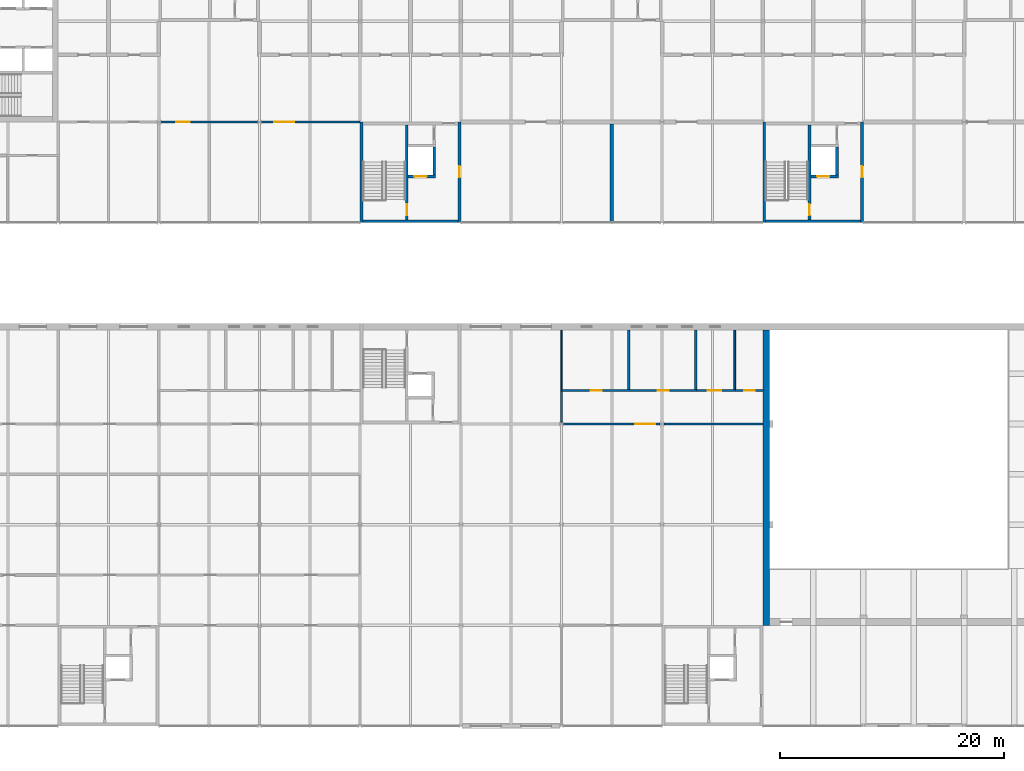
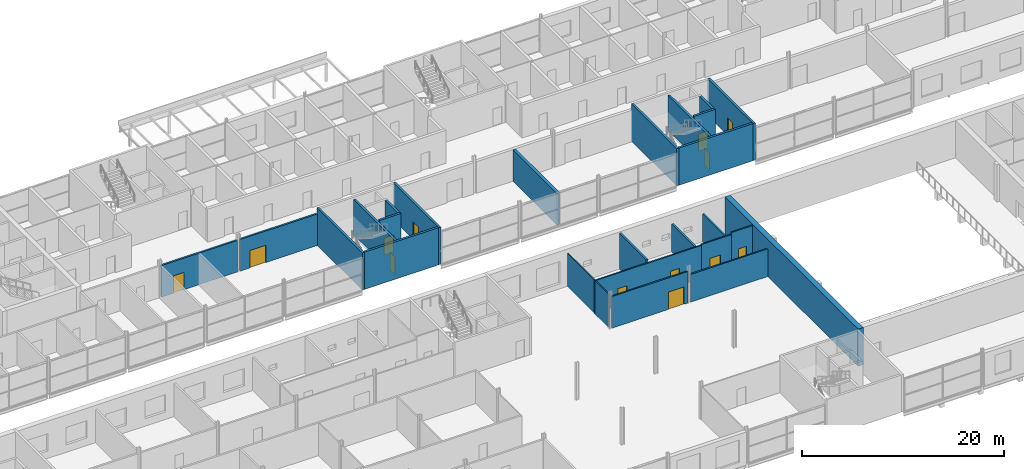
# One storey, part 77 of 97: 26 walls, 13 doors, 13 openings.
"""IFC4 building model written with IfcOpenShell, lengths in metres."""

from ifc_helpers import new_model, si_unit, direction, frame, frame_2d, origin, place, context, subcontext, project, spatial, rectangle, extrude, material, layer, layer_set, type_object, element, fill, save


model = new_model("IFC4")

# Units and contexts
model_context = context("Model", 3, precision=1e-05, world=origin(), true_north=direction((0.0, 1.0)))
body_context = subcontext(model_context, "Body", "Model", "MODEL_VIEW")
ifc_project = project(units=[si_unit("LENGTHUNIT", "METRE"), si_unit("AREAUNIT", "SQUARE_METRE"), si_unit("VOLUMEUNIT", "CUBIC_METRE"), si_unit("PLANEANGLEUNIT", "RADIAN"), si_unit("MASSUNIT", "GRAM", prefix="KILO")], contexts=[model_context])

# Site, building, storey
site_placement = place(None, origin())
site = spatial("IfcSite", under=ifc_project, at=site_placement, CompositionType="ELEMENT")
building_placement = place(site_placement, origin())
building = spatial("IfcBuilding", under=site, at=building_placement, Name="Corbel Yard City Hall", CompositionType="ELEMENT")
storey_placement = place(building_placement, frame((0.0, 0.0, 6.0)))
storey = spatial("IfcBuildingStorey", under=building, at=storey_placement, Name="L01", CompositionType="ELEMENT", Elevation=6.0)

# Walls
ifc_material_1 = material(Name="Concrete N50 (50 MPa)", Category="concrete")
ifc_layer_1 = layer(ifc_material_1, 0.60009765625)
ifc_layer_set_1 = layer_set([ifc_layer_1], Name="Concrete N50 (50 MPa)")
wall_type_1 = type_object("IfcWallType", Name="Chamber wall 600", PredefinedType="SHEAR", material=ifc_layer_set_1)
wall_1_placement = place(storey_placement, frame((117.300048828125, 54.0, 0.0), z_axis=(0.0, 0.0, 1.0), x_axis=(0.0, 1.0, 0.0)))
element("IfcWall", 1, at=wall_1_placement, inside=storey, type_object=wall_type_1, Name="Chamber west wall", PredefinedType="SHEAR", context=body_context, shape_type="SweptSolid", body=[
    extrude(rectangle(XDim=26.39990234375, YDim=0.60009765625, at=frame_2d((13.199951171875, 0.0))), origin(), (0.0, 0.0, 1.0), 4.5),
])
ifc_layer_2 = layer(ifc_material_1, 0.25)
ifc_layer_set_2 = layer_set([ifc_layer_2], Name="Concrete N50 (50 MPa)")
wall_type_2 = type_object("IfcWallType", Name="Core cell wall 250", PredefinedType="SHEAR", material=ifc_layer_set_2)
wall_2_placement = place(storey_placement, frame((81.125, 90.0, 0.0), z_axis=(0.0, 0.0, 1.0), x_axis=(0.0, 1.0, 0.0)))
element("IfcWall", 2, at=wall_2_placement, inside=storey, type_object=wall_type_2, Name="Core PC-N5 west wall", PredefinedType="SHEAR", context=body_context, shape_type="SweptSolid", body=[
    extrude(rectangle(XDim=9.0, YDim=0.25, at=frame_2d((4.5, 0.0))), origin(), (0.0, 0.0, 1.0), 4.5),
])

# Wall, opening, door
wall_3_placement = place(storey_placement, frame((89.875, 90.0, 0.0), z_axis=(0.0, 0.0, 1.0), x_axis=(0.0, 1.0, 0.0)))
wall_3 = element("IfcWall", 3, at=wall_3_placement, inside=storey, type_object=wall_type_2, Name="Core PC-N5 east wall", PredefinedType="SHEAR", context=body_context, shape_type="SweptSolid", body=[
    extrude(rectangle(XDim=9.0, YDim=0.25, at=frame_2d((4.5, 0.0))), origin(), (0.0, 0.0, 1.0), 4.5),
])
opening_1_placement = place(wall_3_placement, frame((4.050048828125, 0.0, 0.0)))
opening_1 = element("IfcOpeningElement", 4, at=opening_1_placement, cuts=wall_3, Name="Opening L01-162", PredefinedType="OPENING", context=body_context, shape_type="SweptSolid", body=[
    extrude(rectangle(XDim=1.0, YDim=2.10009765625, at=frame_2d((0.5, 1.050048828125))), frame((0.0, 0.135009765625, 0.0), z_axis=(0.0, -1.0, 0.0), x_axis=(1.0, 0.0, 0.0)), (0.0, 0.0, 1.0), 0.27001953125),
])
ifc_material_2 = material(Name="Steel Grade G250", Category="steel")
door_type_1 = type_object("IfcDoorType", Name="FS1", OperationType="SINGLE_SWING_LEFT", PredefinedType="DOOR", material=ifc_material_2)
door_1_placement = place(opening_1_placement, frame((1.0, 0.0, 0.0), z_axis=(0.0, 0.0, 1.0), x_axis=(-1.0, 0.0, 0.0)))
door_1 = element("IfcDoor", 5, at=door_1_placement, inside=storey, type_object=door_type_1, Name="Door Lift Lobby", OperationType="SINGLE_SWING_LEFT", OverallHeight=2.10009765625, OverallWidth=1.0, PredefinedType="DOOR", context=body_context, shape_type="SweptSolid", body=[
    extrude(rectangle(XDim=1.0, YDim=2.10009765625, at=frame_2d((0.5, 1.050048828125))), frame((0.0, 0.02490234375, 0.0), z_axis=(0.0, -1.0, 0.0), x_axis=(1.0, 0.0, 0.0)), (0.0, 0.0, 1.0), 0.050048828125),
])
fill(opening_1, door_1)

# Walls
wall_4_placement = place(storey_placement, frame((81.25, 90.125, 0.0), z_axis=(0.0, 0.0, 1.0), x_axis=(1.0, 0.0, 0.0)))
element("IfcWall", 6, at=wall_4_placement, inside=storey, type_object=wall_type_2, Name="Core PC-N5 south wall", PredefinedType="SHEAR", context=body_context, shape_type="SweptSolid", body=[
    extrude(rectangle(XDim=8.5, YDim=0.25, at=frame_2d((4.25, 0.0))), origin(), (0.0, 0.0, 1.0), 4.5),
])
wall_5_placement = place(storey_placement, frame((117.125, 90.0, 0.0), z_axis=(0.0, 0.0, 1.0), x_axis=(0.0, 1.0, 0.0)))
element("IfcWall", 7, at=wall_5_placement, inside=storey, type_object=wall_type_2, Name="Core PC-N6 west wall", PredefinedType="SHEAR", context=body_context, shape_type="SweptSolid", body=[
    extrude(rectangle(XDim=9.0, YDim=0.25, at=frame_2d((4.5, 0.0))), origin(), (0.0, 0.0, 1.0), 4.5),
])

# Wall, opening, door
wall_6_placement = place(storey_placement, frame((125.875, 90.0, 0.0), z_axis=(0.0, 0.0, 1.0), x_axis=(0.0, 1.0, 0.0)))
wall_6 = element("IfcWall", 8, at=wall_6_placement, inside=storey, type_object=wall_type_2, Name="Core PC-N6 east wall", PredefinedType="SHEAR", context=body_context, shape_type="SweptSolid", body=[
    extrude(rectangle(XDim=9.0, YDim=0.25, at=frame_2d((4.5, 0.0))), origin(), (0.0, 0.0, 1.0), 4.5),
])
opening_2_placement = place(wall_6_placement, frame((4.050048828125, 0.0, 0.0)))
opening_2 = element("IfcOpeningElement", 9, at=opening_2_placement, cuts=wall_6, Name="Opening L01-164", PredefinedType="OPENING", context=body_context, shape_type="SweptSolid", body=[
    extrude(rectangle(XDim=1.0, YDim=2.10009765625, at=frame_2d((0.5, 1.050048828125))), frame((0.0, 0.135009765625, 0.0), z_axis=(0.0, -1.0, 0.0), x_axis=(1.0, 0.0, 0.0)), (0.0, 0.0, 1.0), 0.27001953125),
])
door_2_placement = place(opening_2_placement, frame((1.0, 0.0, 0.0), z_axis=(0.0, 0.0, 1.0), x_axis=(-1.0, 0.0, 0.0)))
door_2 = element("IfcDoor", 10, at=door_2_placement, inside=storey, type_object=door_type_1, Name="Door Lift Lobby", OperationType="SINGLE_SWING_LEFT", OverallHeight=2.10009765625, OverallWidth=1.0, PredefinedType="DOOR", context=body_context, shape_type="SweptSolid", body=[
    extrude(rectangle(XDim=1.0, YDim=2.10009765625, at=frame_2d((0.5, 1.050048828125))), frame((0.0, 0.02490234375, 0.0), z_axis=(0.0, -1.0, 0.0), x_axis=(1.0, 0.0, 0.0)), (0.0, 0.0, 1.0), 0.050048828125),
])
fill(opening_2, door_2)

# Wall
wall_7_placement = place(storey_placement, frame((117.25, 90.125, 0.0), z_axis=(0.0, 0.0, 1.0), x_axis=(1.0, 0.0, 0.0)))
element("IfcWall", 11, at=wall_7_placement, inside=storey, type_object=wall_type_2, Name="Core PC-N6 south wall", PredefinedType="SHEAR", context=body_context, shape_type="SweptSolid", body=[
    extrude(rectangle(XDim=8.5, YDim=0.25, at=frame_2d((4.25, 0.0))), origin(), (0.0, 0.0, 1.0), 4.5),
])

# Wall, opening, door
ifc_material_3 = material(Name="Concrete N40 (40 MPa)", Category="concrete")
ifc_layer_3 = layer(ifc_material_3, 0.25)
ifc_layer_set_3 = layer_set([ifc_layer_3], Name="Concrete N40 (40 MPa)")
wall_type_3 = type_object("IfcWallType", Name="IW2", PredefinedType="SOLIDWALL", material=ifc_layer_set_3)
wall_8_placement = place(storey_placement, frame((85.175048828125, 90.25, 0.0), z_axis=(0.0, 0.0, 1.0), x_axis=(0.0, 1.0, 0.0)))
wall_8 = element("IfcWall", 12, at=wall_8_placement, inside=storey, type_object=wall_type_3, Name="Stair enclosure wall", PredefinedType="SOLIDWALL", context=body_context, shape_type="SweptSolid", body=[
    extrude(rectangle(XDim=8.5, YDim=0.25, at=frame_2d((4.25, 0.0))), origin(), (0.0, 0.0, 1.0), 4.25),
])
opening_3_placement = place(wall_8_placement, frame((0.39990234375, 0.0, 0.0)))
opening_3 = element("IfcOpeningElement", 13, at=opening_3_placement, cuts=wall_8, Name="Opening L01-149", PredefinedType="OPENING", context=body_context, shape_type="SweptSolid", body=[
    extrude(rectangle(XDim=1.0, YDim=2.10009765625, at=frame_2d((0.5, 1.050048828125))), frame((0.0, 0.135009765625, 0.0), z_axis=(0.0, -1.0, 0.0), x_axis=(1.0, 0.0, 0.0)), (0.0, 0.0, 1.0), 0.27001953125),
])
door_3_placement = place(opening_3_placement, origin())
door_3 = element("IfcDoor", 14, at=door_3_placement, inside=storey, type_object=door_type_1, Name="Door Exit Stair 20", OperationType="SINGLE_SWING_LEFT", OverallHeight=2.10009765625, OverallWidth=1.0, PredefinedType="DOOR", context=body_context, shape_type="SweptSolid", body=[
    extrude(rectangle(XDim=1.0, YDim=2.10009765625, at=frame_2d((0.5, 1.050048828125))), frame((0.0, 0.02490234375, 0.0), z_axis=(0.0, -1.0, 0.0), x_axis=(1.0, 0.0, 0.0)), (0.0, 0.0, 1.0), 0.050048828125),
])
fill(opening_3, door_3)

wall_9_placement = place(storey_placement, frame((85.300048828125, 94.125, 0.0), z_axis=(0.0, 0.0, 1.0), x_axis=(1.0, 0.0, 0.0)))
wall_9 = element("IfcWall", 15, at=wall_9_placement, inside=storey, type_object=wall_type_3, Name="Lift LP20 shaft wall", PredefinedType="SOLIDWALL", context=body_context, shape_type="SweptSolid", body=[
    extrude(rectangle(XDim=2.449951171875, YDim=0.25, at=frame_2d((1.22509765625, 0.0))), origin(), (0.0, 0.0, 1.0), 4.5),
])
opening_4_placement = place(wall_9_placement, frame((0.550048828125, 0.0, 0.0)))
opening_4 = element("IfcOpeningElement", 16, at=opening_4_placement, cuts=wall_9, Name="Opening L01-139", PredefinedType="OPENING", context=body_context, shape_type="SweptSolid", body=[
    extrude(rectangle(XDim=1.10009765625, YDim=2.10009765625, at=frame_2d((0.550048828125, 1.050048828125))), frame((0.0, 0.135009765625, 0.0), z_axis=(0.0, -1.0, 0.0), x_axis=(1.0, 0.0, 0.0)), (0.0, 0.0, 1.0), 0.27001953125),
])
ifc_material_4 = material(Name="Stainless steel Grade 316", Category="steel")
door_type_2 = type_object("IfcDoorType", Name="LD1", OperationType="DOUBLE_DOOR_SLIDING", PredefinedType="DOOR", material=ifc_material_4)
door_4_placement = place(opening_4_placement, origin())
door_4 = element("IfcDoor", 17, at=door_4_placement, inside=storey, type_object=door_type_2, Name="Lift LP20 landing door", OperationType="DOUBLE_DOOR_SLIDING", OverallHeight=2.10009765625, OverallWidth=1.10009765625, PredefinedType="DOOR", context=body_context, shape_type="SweptSolid", body=[
    extrude(rectangle(XDim=1.10009765625, YDim=2.10009765625, at=frame_2d((0.550048828125, 1.050048828125))), frame((0.0, 0.02490234375, 0.0), z_axis=(0.0, -1.0, 0.0), x_axis=(1.0, 0.0, 0.0)), (0.0, 0.0, 1.0), 0.050048828125),
])
fill(opening_4, door_4)

# Wall
wall_10_placement = place(storey_placement, frame((87.625, 94.25, 0.0), z_axis=(0.0, 0.0, 1.0), x_axis=(0.0, 1.0, 0.0)))
element("IfcWall", 18, at=wall_10_placement, inside=storey, type_object=wall_type_3, Name="Lift LP20 shaft wall", PredefinedType="SOLIDWALL", context=body_context, shape_type="SweptSolid", body=[
    extrude(rectangle(XDim=2.5, YDim=0.25, at=frame_2d((1.25, 0.0))), origin(), (0.0, 0.0, 1.0), 4.5),
])

# Wall, opening, door
wall_11_placement = place(storey_placement, frame((121.175048828125, 90.25, 0.0), z_axis=(0.0, 0.0, 1.0), x_axis=(0.0, 1.0, 0.0)))
wall_11 = element("IfcWall", 19, at=wall_11_placement, inside=storey, type_object=wall_type_3, Name="Stair enclosure wall", PredefinedType="SOLIDWALL", context=body_context, shape_type="SweptSolid", body=[
    extrude(rectangle(XDim=8.5, YDim=0.25, at=frame_2d((4.25, 0.0))), origin(), (0.0, 0.0, 1.0), 4.25),
])
opening_5_placement = place(wall_11_placement, frame((0.39990234375, 0.0, 0.0)))
opening_5 = element("IfcOpeningElement", 20, at=opening_5_placement, cuts=wall_11, Name="Opening L01-151", PredefinedType="OPENING", context=body_context, shape_type="SweptSolid", body=[
    extrude(rectangle(XDim=1.0, YDim=2.10009765625, at=frame_2d((0.5, 1.050048828125))), frame((0.0, 0.135009765625, 0.0), z_axis=(0.0, -1.0, 0.0), x_axis=(1.0, 0.0, 0.0)), (0.0, 0.0, 1.0), 0.27001953125),
])
door_5_placement = place(opening_5_placement, origin())
door_5 = element("IfcDoor", 21, at=door_5_placement, inside=storey, type_object=door_type_1, Name="Door Exit Stair 21", OperationType="SINGLE_SWING_LEFT", OverallHeight=2.10009765625, OverallWidth=1.0, PredefinedType="DOOR", context=body_context, shape_type="SweptSolid", body=[
    extrude(rectangle(XDim=1.0, YDim=2.10009765625, at=frame_2d((0.5, 1.050048828125))), frame((0.0, 0.02490234375, 0.0), z_axis=(0.0, -1.0, 0.0), x_axis=(1.0, 0.0, 0.0)), (0.0, 0.0, 1.0), 0.050048828125),
])
fill(opening_5, door_5)

wall_12_placement = place(storey_placement, frame((121.300048828125, 94.125, 0.0), z_axis=(0.0, 0.0, 1.0), x_axis=(1.0, 0.0, 0.0)))
wall_12 = element("IfcWall", 22, at=wall_12_placement, inside=storey, type_object=wall_type_3, Name="Lift LP21 shaft wall", PredefinedType="SOLIDWALL", context=body_context, shape_type="SweptSolid", body=[
    extrude(rectangle(XDim=2.449951171875, YDim=0.25, at=frame_2d((1.22509765625, 0.0))), origin(), (0.0, 0.0, 1.0), 4.5),
])
opening_6_placement = place(wall_12_placement, frame((0.550048828125, 0.0, 0.0)))
opening_6 = element("IfcOpeningElement", 23, at=opening_6_placement, cuts=wall_12, Name="Opening L01-140", PredefinedType="OPENING", context=body_context, shape_type="SweptSolid", body=[
    extrude(rectangle(XDim=1.10009765625, YDim=2.10009765625, at=frame_2d((0.550048828125, 1.050048828125))), frame((0.0, 0.135009765625, 0.0), z_axis=(0.0, -1.0, 0.0), x_axis=(1.0, 0.0, 0.0)), (0.0, 0.0, 1.0), 0.27001953125),
])
door_6_placement = place(opening_6_placement, origin())
door_6 = element("IfcDoor", 24, at=door_6_placement, inside=storey, type_object=door_type_2, Name="Lift LP21 landing door", OperationType="DOUBLE_DOOR_SLIDING", OverallHeight=2.10009765625, OverallWidth=1.10009765625, PredefinedType="DOOR", context=body_context, shape_type="SweptSolid", body=[
    extrude(rectangle(XDim=1.10009765625, YDim=2.10009765625, at=frame_2d((0.550048828125, 1.050048828125))), frame((0.0, 0.02490234375, 0.0), z_axis=(0.0, -1.0, 0.0), x_axis=(1.0, 0.0, 0.0)), (0.0, 0.0, 1.0), 0.050048828125),
])
fill(opening_6, door_6)

# Walls
wall_13_placement = place(storey_placement, frame((123.625, 94.25, 0.0), z_axis=(0.0, 0.0, 1.0), x_axis=(0.0, 1.0, 0.0)))
element("IfcWall", 25, at=wall_13_placement, inside=storey, type_object=wall_type_3, Name="Lift LP21 shaft wall", PredefinedType="SOLIDWALL", context=body_context, shape_type="SweptSolid", body=[
    extrude(rectangle(XDim=2.5, YDim=0.25, at=frame_2d((1.25, 0.0))), origin(), (0.0, 0.0, 1.0), 4.5),
])
ifc_material_5 = material(Name="Gypsum plasterboard", Category="gypsum")
ifc_layer_4 = layer(ifc_material_5, 0.028076171875)
ifc_material_6 = material(Name="Steel Grade G550 (550 MPa yield)", Category="steel")
ifc_layer_5 = layer(ifc_material_6, 0.06396484375)
ifc_layer_6 = layer(ifc_material_5, 0.028076171875)
ifc_layer_set_4 = layer_set([ifc_layer_4, ifc_layer_5, ifc_layer_6], Name="Steel Grade G550 (550 MPa yield)")
wall_type_4 = type_object("IfcWallType", Name="PT1", PredefinedType="PARTITIONING", material=ifc_layer_set_4)
wall_14_placement = place(storey_placement, frame((99.0, 75.080078125, 0.0), z_axis=(0.0, 0.0, 1.0), x_axis=(0.0, 1.0, 0.0)))
element("IfcWall", 26, at=wall_14_placement, inside=storey, type_object=wall_type_4, Name="Partition", PredefinedType="PARTITIONING", context=body_context, shape_type="SweptSolid", body=[
    extrude(rectangle(XDim=5.31982421875, YDim=0.1201171875, at=frame_2d((2.659912109375, 0.0))), origin(), (0.0, 0.0, 1.0), 3.998046875),
])

# Wall, opening, door
ifc_layer_7 = layer(ifc_material_5, 0.031982421875)
ifc_layer_8 = layer(ifc_material_6, 0.135986328125)
ifc_layer_9 = layer(ifc_material_5, 0.031982421875)
ifc_layer_set_5 = layer_set([ifc_layer_7, ifc_layer_8, ifc_layer_9], Name="Steel Grade G550 (550 MPa yield)")
wall_type_5 = type_object("IfcWallType", Name="PT2", PredefinedType="PARTITIONING", material=ifc_layer_set_5)
wall_15_placement = place(storey_placement, frame((63.157470703125, 99.0, 0.0), z_axis=(0.0, 0.0, 1.0), x_axis=(1.0, 0.0, 0.0)))
wall_15 = element("IfcWall", 27, at=wall_15_placement, inside=storey, type_object=wall_type_5, Name="Acoustic wall", PredefinedType="PARTITIONING", context=body_context, shape_type="SweptSolid", body=[
    extrude(rectangle(XDim=8.68505859375, YDim=0.199951171875, at=frame_2d((4.342529296875, 0.0))), origin(), (0.0, 0.0, 1.0), 3.822021484375),
])
opening_7_placement = place(wall_15_placement, frame((1.392578125, 0.0, 0.0)))
opening_7 = element("IfcOpeningElement", 28, at=opening_7_placement, cuts=wall_15, Name="Opening L01-179", PredefinedType="OPENING", context=body_context, shape_type="SweptSolid", body=[
    extrude(rectangle(XDim=1.199951171875, YDim=2.10009765625, at=frame_2d((0.60009765625, 1.050048828125))), frame((0.0, 0.10986328125, 0.0), z_axis=(0.0, -1.0, 0.0), x_axis=(1.0, 0.0, 0.0)), (0.0, 0.0, 1.0), 0.219970703125),
])
ifc_material_7 = material(Name="Timber", Category="wood")
door_type_3 = type_object("IfcDoorType", Name="D7", OperationType="SINGLE_SWING_LEFT", PredefinedType="DOOR", material=ifc_material_7)
door_7_placement = place(opening_7_placement, frame((1.199951171875, 0.0, 0.0), z_axis=(0.0, 0.0, 1.0), x_axis=(-1.0, 0.0, 0.0)))
door_7 = element("IfcDoor", 29, at=door_7_placement, inside=storey, type_object=door_type_3, Name="Door Accessible WC Suite", OperationType="SINGLE_SWING_RIGHT", OverallHeight=2.10009765625, OverallWidth=1.199951171875, PredefinedType="DOOR", context=body_context, shape_type="SweptSolid", body=[
    extrude(rectangle(XDim=1.199951171875, YDim=2.10009765625, at=frame_2d((0.60009765625, 1.050048828125))), frame((0.0, 0.02490234375, 0.0), z_axis=(0.0, -1.0, 0.0), x_axis=(1.0, 0.0, 0.0)), (0.0, 0.0, 1.0), 0.050048828125),
])
fill(opening_7, door_7)

wall_16_placement = place(storey_placement, frame((72.157470703125, 99.0, 0.0), z_axis=(0.0, 0.0, 1.0), x_axis=(1.0, 0.0, 0.0)))
wall_16 = element("IfcWall", 30, at=wall_16_placement, inside=storey, type_object=wall_type_5, Name="Acoustic wall", PredefinedType="PARTITIONING", context=body_context, shape_type="SweptSolid", body=[
    extrude(rectangle(XDim=8.842529296875, YDim=0.199951171875, at=frame_2d((4.42138671875, 0.0))), origin(), (0.0, 0.0, 1.0), 3.822021484375),
])
opening_8_placement = place(wall_16_placement, frame((1.142578125, 0.0, 0.0)))
opening_8 = element("IfcOpeningElement", 31, at=opening_8_placement, cuts=wall_16, Name="Opening L01-180", PredefinedType="OPENING", context=body_context, shape_type="SweptSolid", body=[
    extrude(rectangle(XDim=1.800048828125, YDim=2.10009765625, at=frame_2d((0.89990234375, 1.050048828125))), frame((0.0, 0.10986328125, 0.0), z_axis=(0.0, -1.0, 0.0), x_axis=(1.0, 0.0, 0.0)), (0.0, 0.0, 1.0), 0.219970703125),
])
door_type_4 = type_object("IfcDoorType", Name="D3", OperationType="DOUBLE_DOOR_SINGLE_SWING", PredefinedType="DOOR", material=ifc_material_7)
door_8_placement = place(opening_8_placement, origin())
door_8 = element("IfcDoor", 32, at=door_8_placement, inside=storey, type_object=door_type_4, Name="Door Library Annex", OperationType="DOUBLE_DOOR_SINGLE_SWING", OverallHeight=2.10009765625, OverallWidth=1.800048828125, PredefinedType="DOOR", context=body_context, shape_type="SweptSolid", body=[
    extrude(rectangle(XDim=1.800048828125, YDim=2.10009765625, at=frame_2d((0.89990234375, 1.050048828125))), frame((0.0, 0.02490234375, 0.0), z_axis=(0.0, -1.0, 0.0), x_axis=(1.0, 0.0, 0.0)), (0.0, 0.0, 1.0), 0.050048828125),
])
fill(opening_8, door_8)

# Wall
ifc_layer_10 = layer(ifc_material_5, 0.031982421875)
ifc_layer_11 = layer(ifc_material_6, 0.260986328125)
ifc_layer_12 = layer(ifc_material_5, 0.031982421875)
ifc_layer_set_6 = layer_set([ifc_layer_10, ifc_layer_11, ifc_layer_12], Name="Steel Grade G550 (550 MPa yield)")
wall_type_6 = type_object("IfcWallType", Name="PT20", PredefinedType="PARTITIONING", material=ifc_layer_set_6)
wall_17_placement = place(storey_placement, frame((103.5, 90.10009765625, 0.0), z_axis=(0.0, 0.0, 1.0), x_axis=(0.0, 1.0, 0.0)))
element("IfcWall", 33, at=wall_17_placement, inside=storey, type_object=wall_type_6, Name="Acoustic partition", PredefinedType="PARTITIONING", context=body_context, shape_type="SweptSolid", body=[
    extrude(rectangle(XDim=8.7373046875, YDim=0.324951171875, at=frame_2d((4.36865234375, 0.0))), origin(), (0.0, 0.0, 1.0), 3.822021484375),
])

# Wall, opening, door
ifc_layer_13 = layer(ifc_material_5, 0.031982421875)
ifc_layer_14 = layer(ifc_material_6, 0.095947265625)
ifc_layer_15 = layer(ifc_material_5, 0.031982421875)
ifc_layer_set_7 = layer_set([ifc_layer_13, ifc_layer_14, ifc_layer_15], Name="Steel Grade G550 (550 MPa yield)")
wall_type_7 = type_object("IfcWallType", Name="PT3", PredefinedType="PARTITIONING", material=ifc_layer_set_7)
wall_18_placement = place(storey_placement, frame((99.157470703125, 72.0, 0.0), z_axis=(0.0, 0.0, 1.0), x_axis=(1.0, 0.0, 0.0)))
wall_18 = element("IfcWall", 34, at=wall_18_placement, inside=storey, type_object=wall_type_7, Name="Fire-resisting wall", PredefinedType="PARTITIONING", context=body_context, shape_type="SweptSolid", body=[
    extrude(rectangle(XDim=8.68505859375, YDim=0.159912109375, at=frame_2d((4.342529296875, 0.0))), origin(), (0.0, 0.0, 1.0), 3.822021484375),
])
opening_9_placement = place(wall_18_placement, frame((6.4423828125, 0.0, 0.0)))
opening_9 = element("IfcOpeningElement", 35, at=opening_9_placement, cuts=wall_18, Name="Opening L01-103", PredefinedType="OPENING", context=body_context, shape_type="SweptSolid", body=[
    extrude(rectangle(XDim=1.800048828125, YDim=2.10009765625, at=frame_2d((0.89990234375, 1.050048828125))), frame((0.0, 0.08984375, 0.0), z_axis=(0.0, -1.0, 0.0), x_axis=(1.0, 0.0, 0.0)), (0.0, 0.0, 1.0), 0.179931640625),
])
door_type_5 = type_object("IfcDoorType", Name="FD3", OperationType="DOUBLE_DOOR_SINGLE_SWING", PredefinedType="DOOR", material=ifc_material_2)
door_9_placement = place(opening_9_placement, origin())
door_9 = element("IfcDoor", 36, at=door_9_placement, inside=storey, type_object=door_type_5, Name="Door WC Lobby", OperationType="DOUBLE_DOOR_SINGLE_SWING", OverallHeight=2.10009765625, OverallWidth=1.800048828125, PredefinedType="DOOR", context=body_context, shape_type="SweptSolid", body=[
    extrude(rectangle(XDim=1.800048828125, YDim=2.10009765625, at=frame_2d((0.89990234375, 1.050048828125))), frame((0.0, 0.02490234375, 0.0), z_axis=(0.0, -1.0, 0.0), x_axis=(1.0, 0.0, 0.0)), (0.0, 0.0, 1.0), 0.050048828125),
])
fill(opening_9, door_9)

# Wall
wall_19_placement = place(storey_placement, frame((108.157470703125, 72.0, 0.0), z_axis=(0.0, 0.0, 1.0), x_axis=(1.0, 0.0, 0.0)))
element("IfcWall", 37, at=wall_19_placement, inside=storey, type_object=wall_type_7, Name="Fire-resisting wall", PredefinedType="PARTITIONING", context=body_context, shape_type="SweptSolid", body=[
    extrude(rectangle(XDim=8.842529296875, YDim=0.159912109375, at=frame_2d((4.42138671875, 0.0))), origin(), (0.0, 0.0, 1.0), 3.35009765625),
])

# Wall, openings, doors
wall_20_placement = place(storey_placement, frame((98.919921875, 75.0, 0.0), z_axis=(0.0, 0.0, 1.0), x_axis=(1.0, 0.0, 0.0)))
wall_20 = element("IfcWall", 38, at=wall_20_placement, inside=storey, type_object=wall_type_7, Name="Fire-resisting wall", PredefinedType="PARTITIONING", context=body_context, shape_type="SweptSolid", body=[
    extrude(rectangle(XDim=12.190185546875, YDim=0.159912109375, at=frame_2d((6.09521484375, 0.0))), origin(), (0.0, 0.0, 1.0), 3.998046875),
])
opening_10_placement = place(wall_20_placement, frame((2.679931640625, 0.0, 0.0)))
opening_10 = element("IfcOpeningElement", 39, at=opening_10_placement, cuts=wall_20, Name="Opening L01-104", PredefinedType="OPENING", context=body_context, shape_type="SweptSolid", body=[
    extrude(rectangle(XDim=1.0, YDim=2.10009765625, at=frame_2d((0.5, 1.050048828125))), frame((0.0, 0.08984375, 0.0), z_axis=(0.0, -1.0, 0.0), x_axis=(1.0, 0.0, 0.0)), (0.0, 0.0, 1.0), 0.179931640625),
])
opening_11_placement = place(wall_20_placement, frame((8.679931640625, 0.0, 0.0)))
opening_11 = element("IfcOpeningElement", 40, at=opening_11_placement, cuts=wall_20, Name="Opening L01-105", PredefinedType="OPENING", context=body_context, shape_type="SweptSolid", body=[
    extrude(rectangle(XDim=1.0, YDim=2.10009765625, at=frame_2d((0.5, 1.050048828125))), frame((0.0, 0.08984375, 0.0), z_axis=(0.0, -1.0, 0.0), x_axis=(1.0, 0.0, 0.0)), (0.0, 0.0, 1.0), 0.179931640625),
])
door_type_6 = type_object("IfcDoorType", Name="FD1", OperationType="SINGLE_SWING_LEFT", PredefinedType="DOOR", material=ifc_material_2)
door_10_placement = place(opening_10_placement, origin())
door_10 = element("IfcDoor", 41, at=door_10_placement, inside=storey, type_object=door_type_6, Name="Door Women's WC", OperationType="SINGLE_SWING_RIGHT", OverallHeight=2.10009765625, OverallWidth=1.0, PredefinedType="DOOR", context=body_context, shape_type="SweptSolid", body=[
    extrude(rectangle(XDim=1.0, YDim=2.10009765625, at=frame_2d((0.5, 1.050048828125))), frame((0.0, 0.02490234375, 0.0), z_axis=(0.0, -1.0, 0.0), x_axis=(1.0, 0.0, 0.0)), (0.0, 0.0, 1.0), 0.050048828125),
])
fill(opening_10, door_10)
door_11_placement = place(opening_11_placement, origin())
door_11 = element("IfcDoor", 42, at=door_11_placement, inside=storey, type_object=door_type_6, Name="Door Men's WC", OperationType="SINGLE_SWING_RIGHT", OverallHeight=2.10009765625, OverallWidth=1.0, PredefinedType="DOOR", context=body_context, shape_type="SweptSolid", body=[
    extrude(rectangle(XDim=1.0, YDim=2.10009765625, at=frame_2d((0.5, 1.050048828125))), frame((0.0, 0.02490234375, 0.0), z_axis=(0.0, -1.0, 0.0), x_axis=(1.0, 0.0, 0.0)), (0.0, 0.0, 1.0), 0.050048828125),
])
fill(opening_11, door_11)

# Wall, opening, door
wall_21_placement = place(storey_placement, frame((111.110107421875, 75.0, 0.0), z_axis=(0.0, 0.0, 1.0), x_axis=(1.0, 0.0, 0.0)))
wall_21 = element("IfcWall", 43, at=wall_21_placement, inside=storey, type_object=wall_type_7, Name="Fire-resisting wall", PredefinedType="PARTITIONING", context=body_context, shape_type="SweptSolid", body=[
    extrude(rectangle(XDim=3.469970703125, YDim=0.159912109375, at=frame_2d((1.73486328125, 0.0))), origin(), (0.0, 0.0, 1.0), 4.10205078125),
])
opening_12_placement = place(wall_21_placement, frame((0.989990234375, 0.0, 0.0)))
opening_12 = element("IfcOpeningElement", 44, at=opening_12_placement, cuts=wall_21, Name="Opening L01-106", PredefinedType="OPENING", context=body_context, shape_type="SweptSolid", body=[
    extrude(rectangle(XDim=1.199951171875, YDim=2.10009765625, at=frame_2d((0.60009765625, 1.050048828125))), frame((0.0, 0.08984375, 0.0), z_axis=(0.0, -1.0, 0.0), x_axis=(1.0, 0.0, 0.0)), (0.0, 0.0, 1.0), 0.179931640625),
])
door_type_7 = type_object("IfcDoorType", Name="FD7", OperationType="SINGLE_SWING_LEFT", PredefinedType="DOOR", material=ifc_material_2)
door_12_placement = place(opening_12_placement, origin())
door_12 = element("IfcDoor", 45, at=door_12_placement, inside=storey, type_object=door_type_7, Name="Door Accessible WC", OperationType="SINGLE_SWING_LEFT", OverallHeight=2.10009765625, OverallWidth=1.199951171875, PredefinedType="DOOR", context=body_context, shape_type="SweptSolid", body=[
    extrude(rectangle(XDim=1.199951171875, YDim=2.10009765625, at=frame_2d((0.60009765625, 1.050048828125))), frame((0.0, 0.02490234375, 0.0), z_axis=(0.0, -1.0, 0.0), x_axis=(1.0, 0.0, 0.0)), (0.0, 0.0, 1.0), 0.050048828125),
])
fill(opening_12, door_12)

wall_22_placement = place(storey_placement, frame((114.580078125, 75.0, 0.0), z_axis=(0.0, 0.0, 1.0), x_axis=(1.0, 0.0, 0.0)))
wall_22 = element("IfcWall", 46, at=wall_22_placement, inside=storey, type_object=wall_type_7, Name="Fire-resisting wall", PredefinedType="PARTITIONING", context=body_context, shape_type="SweptSolid", body=[
    extrude(rectangle(XDim=2.419921875, YDim=0.159912109375, at=frame_2d((1.2099609375, 0.0))), origin(), (0.0, 0.0, 1.0), 4.35009765625),
])
opening_13_placement = place(wall_22_placement, frame((0.77001953125, 0.0, 0.0)))
opening_13 = element("IfcOpeningElement", 47, at=opening_13_placement, cuts=wall_22, Name="Opening L01-107", PredefinedType="OPENING", context=body_context, shape_type="SweptSolid", body=[
    extrude(rectangle(XDim=0.919921875, YDim=2.10009765625, at=frame_2d((0.4599609375, 1.050048828125))), frame((0.0, 0.08984375, 0.0), z_axis=(0.0, -1.0, 0.0), x_axis=(1.0, 0.0, 0.0)), (0.0, 0.0, 1.0), 0.179931640625),
])
door_type_8 = type_object("IfcDoorType", Name="FD5", OperationType="SINGLE_SWING_RIGHT", PredefinedType="DOOR", material=ifc_material_2)
door_13_placement = place(opening_13_placement, origin())
door_13 = element("IfcDoor", 48, at=door_13_placement, inside=storey, type_object=door_type_8, Name="Door Cleaners' Store", OperationType="SINGLE_SWING_LEFT", OverallHeight=2.10009765625, OverallWidth=0.919921875, PredefinedType="DOOR", context=body_context, shape_type="SweptSolid", body=[
    extrude(rectangle(XDim=0.919921875, YDim=2.10009765625, at=frame_2d((0.4599609375, 1.050048828125))), frame((0.0, 0.02490234375, 0.0), z_axis=(0.0, -1.0, 0.0), x_axis=(1.0, 0.0, 0.0)), (0.0, 0.0, 1.0), 0.050048828125),
])
fill(opening_13, door_13)

# Walls
wall_23_placement = place(storey_placement, frame((99.0, 72.157470703125, 0.0), z_axis=(0.0, 0.0, 1.0), x_axis=(0.0, 1.0, 0.0)))
element("IfcWall", 49, at=wall_23_placement, inside=storey, type_object=wall_type_7, Name="Fire-resisting wall", PredefinedType="PARTITIONING", context=body_context, shape_type="SweptSolid", body=[
    extrude(rectangle(XDim=2.762451171875, YDim=0.159912109375, at=frame_2d((1.38134765625, 0.0))), origin(), (0.0, 0.0, 1.0), 3.998046875),
])
wall_24_placement = place(storey_placement, frame((114.5, 75.080078125, 0.0), z_axis=(0.0, 0.0, 1.0), x_axis=(0.0, 1.0, 0.0)))
element("IfcWall", 50, at=wall_24_placement, inside=storey, type_object=wall_type_7, Name="Fire-resisting wall", PredefinedType="PARTITIONING", context=body_context, shape_type="SweptSolid", body=[
    extrude(rectangle(XDim=5.31982421875, YDim=0.159912109375, at=frame_2d((2.659912109375, 0.0))), origin(), (0.0, 0.0, 1.0), 3.35009765625),
])
ifc_layer_16 = layer(ifc_material_5, 0.031982421875)
ifc_layer_17 = layer(ifc_material_6, 0.156005859375)
ifc_layer_18 = layer(ifc_material_5, 0.031982421875)
ifc_layer_set_8 = layer_set([ifc_layer_16, ifc_layer_17, ifc_layer_18], Name="Steel Grade G550 (550 MPa yield)")
wall_type_8 = type_object("IfcWallType", Name="PT5", PredefinedType="PLUMBINGWALL", material=ifc_layer_set_8)
wall_25_placement = place(storey_placement, frame((105.0, 75.080078125, 0.0), z_axis=(0.0, 0.0, 1.0), x_axis=(0.0, 1.0, 0.0)))
element("IfcWall", 51, at=wall_25_placement, inside=storey, type_object=wall_type_8, Name="Wet wall", PredefinedType="PLUMBINGWALL", context=body_context, shape_type="SweptSolid", body=[
    extrude(rectangle(XDim=5.31982421875, YDim=0.219970703125, at=frame_2d((2.659912109375, 0.0))), origin(), (0.0, 0.0, 1.0), 4.35009765625),
])
wall_26_placement = place(storey_placement, frame((111.0, 75.080078125, 0.0), z_axis=(0.0, 0.0, 1.0), x_axis=(0.0, 1.0, 0.0)))
element("IfcWall", 52, at=wall_26_placement, inside=storey, type_object=wall_type_8, Name="Wet wall", PredefinedType="PLUMBINGWALL", context=body_context, shape_type="SweptSolid", body=[
    extrude(rectangle(XDim=5.31982421875, YDim=0.219970703125, at=frame_2d((2.659912109375, 0.0))), origin(), (0.0, 0.0, 1.0), 3.35009765625),
])

save(model, "model.ifc")
